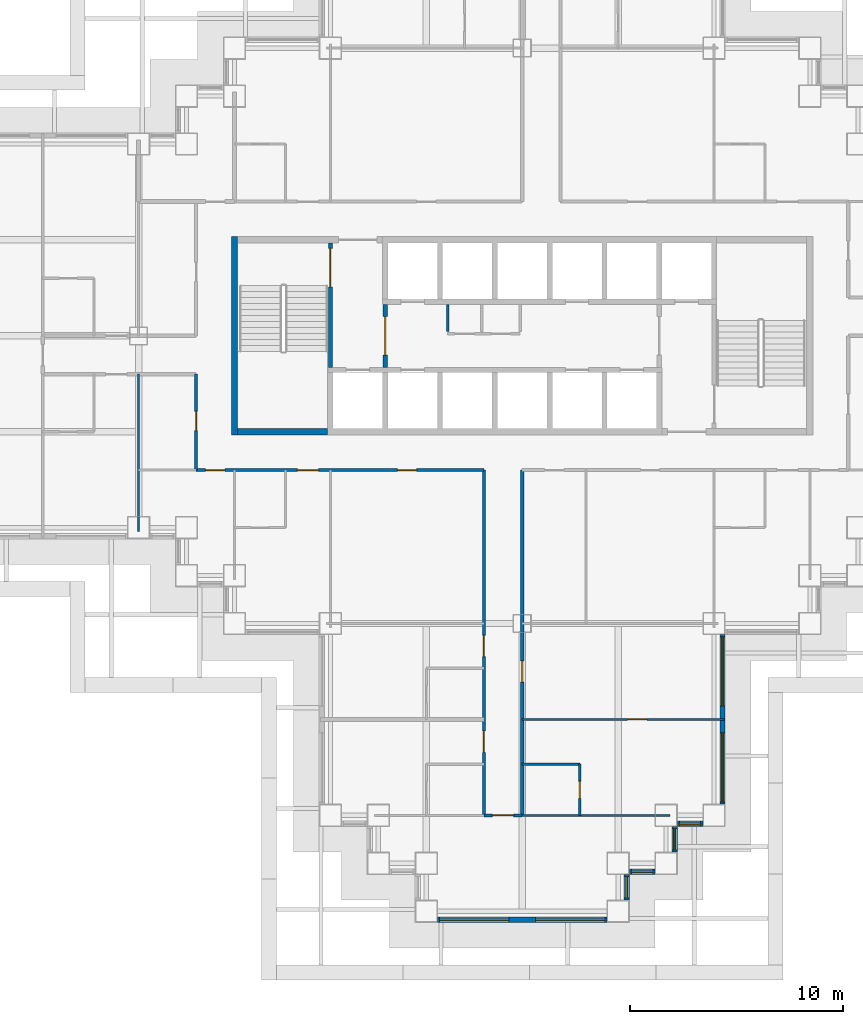
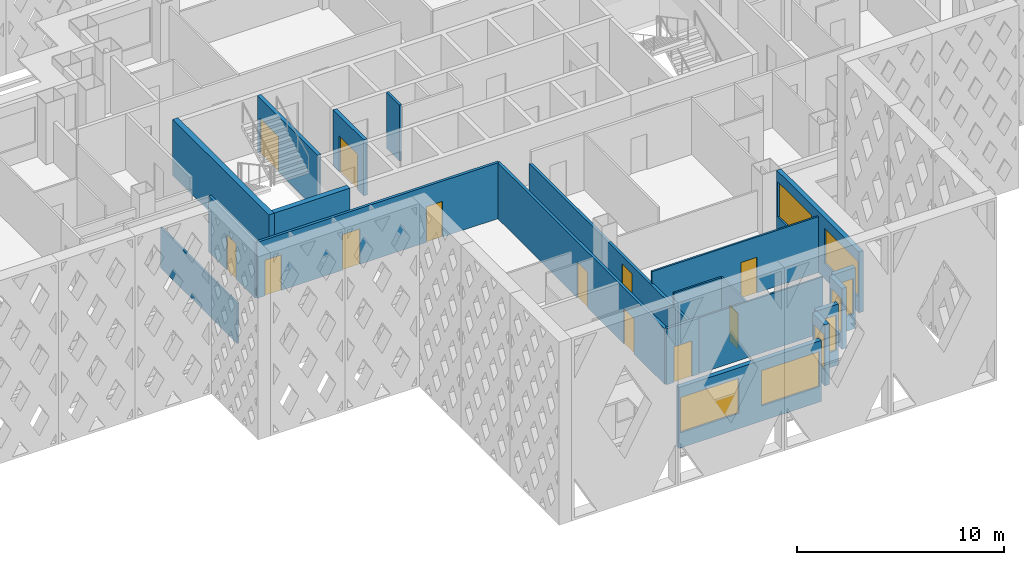
# One storey, part 4 of 19: 21 walls, 12 doors, 8 windows, 20 openings.
"""IFC4 building model written with IfcOpenShell, lengths in metres."""

from ifc_helpers import new_model, si_unit, direction, frame, frame_2d, origin, place, context, subcontext, project, spatial, rectangle, extrude, material, layer, layer_set, type_object, element, fill, save


model = new_model("IFC4")

# Units and contexts
model_context = context("Model", 3, precision=1e-05, world=origin(), true_north=direction((0.0, 1.0)))
body_context = subcontext(model_context, "Body", "Model", "MODEL_VIEW")
ifc_project = project(units=[si_unit("LENGTHUNIT", "METRE"), si_unit("AREAUNIT", "SQUARE_METRE"), si_unit("VOLUMEUNIT", "CUBIC_METRE"), si_unit("PLANEANGLEUNIT", "RADIAN"), si_unit("MASSUNIT", "GRAM", prefix="KILO")], contexts=[model_context])

# Site, building, storey
site_placement = place(None, origin())
site = spatial("IfcSite", under=ifc_project, at=site_placement, CompositionType="ELEMENT")
building_placement = place(site_placement, origin())
building = spatial("IfcBuilding", under=site, at=building_placement, Name="Caravel Reach Hotel and Residences", CompositionType="ELEMENT")
storey_placement = place(building_placement, frame((0.0, 0.0, 52.800048828125)))
storey = spatial("IfcBuildingStorey", under=building, at=storey_placement, Name="L11", CompositionType="ELEMENT", Elevation=52.800048828125)

# Wall
ifc_material_1 = material(Name="Gypsum board on steel stud", Category="steel")
ifc_layer_1 = layer(ifc_material_1, 0.10009765625)
ifc_layer_set_1 = layer_set([ifc_layer_1], Name="Bathroom pod wall 100 mm")
wall_type_1 = type_object("IfcWallType", Name="Bathroom pod wall 100 mm", PredefinedType="PARTITIONING", material=ifc_layer_set_1)
wall_1_placement = place(storey_placement, frame((31.5, 6.89990234375, 0.0), z_axis=(0.0, 0.0, 1.0), x_axis=(1.0, 0.0, 0.0)))
element("IfcWall", 1, at=wall_1_placement, inside=storey, type_object=wall_type_1, Name="L11 wall w087", PredefinedType="PARTITIONING", context=body_context, shape_type="SweptSolid", body=[
    extrude(rectangle(XDim=2.699951171875, YDim=0.10009765625, at=frame_2d((1.35009765625, 0.0))), origin(), (0.0, 0.0, 1.0), 3.300048828125),
])

# Wall, opening, door
wall_2_placement = place(storey_placement, frame((34.199951171875, 4.5, 0.0), z_axis=(0.0, 0.0, 1.0), x_axis=(0.0, 1.0, 0.0)))
wall_2 = element("IfcWall", 2, at=wall_2_placement, inside=storey, type_object=wall_type_1, Name="L11 wall w095", PredefinedType="PARTITIONING", context=body_context, shape_type="SweptSolid", body=[
    extrude(rectangle(XDim=2.39990234375, YDim=0.10009765625, at=frame_2d((1.199951171875, 0.0))), origin(), (0.0, 0.0, 1.0), 3.300048828125),
])
opening_1_placement = place(wall_2_placement, frame((0.800048828125, 0.0, 0.0)))
opening_1 = element("IfcOpeningElement", 3, at=opening_1_placement, cuts=wall_2, Name="Opening D11-037", PredefinedType="OPENING", context=body_context, shape_type="SweptSolid", body=[
    extrude(rectangle(XDim=0.800048828125, YDim=2.10009765625, at=frame_2d((0.39990234375, 1.050048828125))), frame((0.0, 0.06005859375, 0.0), z_axis=(0.0, -1.0, 0.0), x_axis=(1.0, 0.0, 0.0)), (0.0, 0.0, 1.0), 0.1201171875),
])
ifc_material_2 = material(Name="Timber and steel door leaf", Category="steel")
door_type_1 = type_object("IfcDoorType", Name="Bathroom door 800 x 2100", OperationType="SINGLE_SWING_LEFT", PredefinedType="DOOR", material=ifc_material_2)
door_1_placement = place(opening_1_placement, origin())
door_1 = element("IfcDoor", 4, at=door_1_placement, inside=storey, type_object=door_type_1, Name="door D11-037", OperationType="SINGLE_SWING_LEFT", OverallHeight=2.10009765625, OverallWidth=0.800048828125, PredefinedType="DOOR", context=body_context, shape_type="SweptSolid", body=[
    extrude(rectangle(XDim=0.800048828125, YDim=2.10009765625, at=frame_2d((0.39990234375, 1.050048828125))), frame((0.0, 0.02490234375, 0.0), z_axis=(0.0, -1.0, 0.0), x_axis=(1.0, 0.0, 0.0)), (0.0, 0.0, 1.0), 0.050048828125),
])
fill(opening_1, door_1)

# Walls
ifc_material_3 = material(Name="Concrete C60", Category="concrete")
ifc_layer_2 = layer(ifc_material_3, 0.300048828125)
ifc_layer_set_2 = layer_set([ifc_layer_2], Name="Core wall 300 mm EI 120")
wall_type_2 = type_object("IfcWallType", Name="Core wall 300 mm EI 120", PredefinedType="SHEAR", material=ifc_layer_set_2)
wall_3_placement = place(storey_placement, frame((18.14990234375, 22.5, 0.0), z_axis=(0.0, 0.0, 1.0), x_axis=(1.0, 0.0, 0.0)))
element("IfcWall", 5, at=wall_3_placement, inside=storey, type_object=wall_type_2, Name="L11 core wall S1", PredefinedType="SHEAR", context=body_context, shape_type="SweptSolid", body=[
    extrude(rectangle(XDim=4.22509765625, YDim=0.300048828125, at=frame_2d((2.112548828125, 0.0))), origin(), (0.0, 0.0, 1.0), 3.300048828125),
])
wall_4_placement = place(storey_placement, frame((18.0, 22.35009765625, 0.0), z_axis=(0.0, 0.0, 1.0), x_axis=(0.0, 1.0, 0.0)))
element("IfcWall", 6, at=wall_4_placement, inside=storey, type_object=wall_type_2, Name="L11 core wall W", PredefinedType="SHEAR", context=body_context, shape_type="SweptSolid", body=[
    extrude(rectangle(XDim=9.2998046875, YDim=0.300048828125, at=frame_2d((4.64990234375, 0.0))), origin(), (0.0, 0.0, 1.0), 3.300048828125),
])

# Wall, openings, doors
ifc_material_4 = material(Name="Gypsum board on steel stud, fire-rated", Category="steel")
ifc_layer_3 = layer(ifc_material_4, 0.14990234375)
ifc_layer_set_3 = layer_set([ifc_layer_3], Name="Corridor wall 150 mm EI 60")
wall_type_3 = type_object("IfcWallType", Name="Corridor wall 150 mm EI 60", PredefinedType="PARTITIONING", material=ifc_layer_set_3)
wall_5_placement = place(storey_placement, frame((16.199951171875, 20.699951171875, 0.0), z_axis=(0.0, 0.0, 1.0), x_axis=(1.0, 0.0, 0.0)))
wall_5 = element("IfcWall", 7, at=wall_5_placement, inside=storey, type_object=wall_type_3, Name="L11 wall w006", PredefinedType="PARTITIONING", context=body_context, shape_type="SweptSolid", body=[
    extrude(rectangle(XDim=13.5, YDim=0.14990234375, at=frame_2d((6.75, 0.0))), origin(), (0.0, 0.0, 1.0), 3.300048828125),
])
opening_2_placement = place(wall_5_placement, frame((4.75, 0.0, 0.0)))
opening_2 = element("IfcOpeningElement", 8, at=opening_2_placement, cuts=wall_5, Name="Opening D11-047", PredefinedType="OPENING", context=body_context, shape_type="SweptSolid", body=[
    extrude(rectangle(XDim=1.0, YDim=2.10009765625, at=frame_2d((0.5, 1.050048828125))), frame((0.0, 0.0849609375, 0.0), z_axis=(0.0, -1.0, 0.0), x_axis=(1.0, 0.0, 0.0)), (0.0, 0.0, 1.0), 0.169921875),
])
opening_3_placement = place(wall_5_placement, frame((0.449951171875, 0.0, 0.0)))
opening_3 = element("IfcOpeningElement", 9, at=opening_3_placement, cuts=wall_5, Name="Opening D11-049", PredefinedType="OPENING", context=body_context, shape_type="SweptSolid", body=[
    extrude(rectangle(XDim=0.89990234375, YDim=2.10009765625, at=frame_2d((0.449951171875, 1.050048828125))), frame((0.0, 0.0849609375, 0.0), z_axis=(0.0, -1.0, 0.0), x_axis=(1.0, 0.0, 0.0)), (0.0, 0.0, 1.0), 0.169921875),
])
opening_4_placement = place(wall_5_placement, frame((9.449951171875, 0.0, 0.0)))
opening_4 = element("IfcOpeningElement", 10, at=opening_4_placement, cuts=wall_5, Name="Opening D11-055", PredefinedType="OPENING", context=body_context, shape_type="SweptSolid", body=[
    extrude(rectangle(XDim=0.89990234375, YDim=2.10009765625, at=frame_2d((0.449951171875, 1.050048828125))), frame((0.0, 0.0849609375, 0.0), z_axis=(0.0, -1.0, 0.0), x_axis=(1.0, 0.0, 0.0)), (0.0, 0.0, 1.0), 0.169921875),
])
ifc_material_5 = material(Name="Timber and steel door leaf", Category="steel")
door_type_2 = type_object("IfcDoorType", Name="Door 900 x 2100 timber", OperationType="SINGLE_SWING_LEFT", PredefinedType="DOOR", material=ifc_material_5)
door_2_placement = place(opening_3_placement, origin())
door_2 = element("IfcDoor", 11, at=door_2_placement, inside=storey, type_object=door_type_2, Name="door D11-049", OperationType="SINGLE_SWING_LEFT", OverallHeight=2.10009765625, OverallWidth=0.89990234375, PredefinedType="DOOR", context=body_context, shape_type="SweptSolid", body=[
    extrude(rectangle(XDim=0.89990234375, YDim=2.10009765625, at=frame_2d((0.449951171875, 1.050048828125))), frame((0.0, 0.02490234375, 0.0), z_axis=(0.0, -1.0, 0.0), x_axis=(1.0, 0.0, 0.0)), (0.0, 0.0, 1.0), 0.050048828125),
])
fill(opening_3, door_2)
door_3_placement = place(opening_4_placement, origin())
door_3 = element("IfcDoor", 12, at=door_3_placement, inside=storey, type_object=door_type_2, Name="door D11-055", OperationType="SINGLE_SWING_RIGHT", OverallHeight=2.10009765625, OverallWidth=0.89990234375, PredefinedType="DOOR", context=body_context, shape_type="SweptSolid", body=[
    extrude(rectangle(XDim=0.89990234375, YDim=2.10009765625, at=frame_2d((0.449951171875, 1.050048828125))), frame((0.0, 0.02490234375, 0.0), z_axis=(0.0, -1.0, 0.0), x_axis=(1.0, 0.0, 0.0)), (0.0, 0.0, 1.0), 0.050048828125),
])
fill(opening_4, door_3)
ifc_material_6 = material(Name="Steel fire door leaf", Category="steel")
door_type_3 = type_object("IfcDoorType", Name="Guest room door 1000 x 2100 EI 30", OperationType="SINGLE_SWING_LEFT", PredefinedType="DOOR", material=ifc_material_6)
door_4_placement = place(opening_2_placement, origin())
door_4 = element("IfcDoor", 13, at=door_4_placement, inside=storey, type_object=door_type_3, Name="door D11-047", OperationType="SINGLE_SWING_RIGHT", OverallHeight=2.10009765625, OverallWidth=1.0, PredefinedType="DOOR", context=body_context, shape_type="SweptSolid", body=[
    extrude(rectangle(XDim=1.0, YDim=2.10009765625, at=frame_2d((0.5, 1.050048828125))), frame((0.0, 0.02490234375, 0.0), z_axis=(0.0, -1.0, 0.0), x_axis=(1.0, 0.0, 0.0)), (0.0, 0.0, 1.0), 0.050048828125),
])
fill(opening_2, door_4)

# Wall, opening, door
wall_6_placement = place(storey_placement, frame((29.699951171875, 4.5, 0.0), z_axis=(0.0, 0.0, 1.0), x_axis=(1.0, 0.0, 0.0)))
wall_6 = element("IfcWall", 14, at=wall_6_placement, inside=storey, type_object=wall_type_3, Name="L11 wall w022", PredefinedType="PARTITIONING", context=body_context, shape_type="SweptSolid", body=[
    extrude(rectangle(XDim=1.800048828125, YDim=0.14990234375, at=frame_2d((0.89990234375, 0.0))), origin(), (0.0, 0.0, 1.0), 3.300048828125),
])
opening_5_placement = place(wall_6_placement, frame((0.39990234375, 0.0, 0.0)))
opening_5 = element("IfcOpeningElement", 15, at=opening_5_placement, cuts=wall_6, Name="Opening D11-041", PredefinedType="OPENING", context=body_context, shape_type="SweptSolid", body=[
    extrude(rectangle(XDim=1.0, YDim=2.10009765625, at=frame_2d((0.5, 1.050048828125))), frame((0.0, 0.0849609375, 0.0), z_axis=(0.0, -1.0, 0.0), x_axis=(1.0, 0.0, 0.0)), (0.0, 0.0, 1.0), 0.169921875),
])
door_5_placement = place(opening_5_placement, origin())
door_5 = element("IfcDoor", 16, at=door_5_placement, inside=storey, type_object=door_type_3, Name="door D11-041", OperationType="SINGLE_SWING_LEFT", OverallHeight=2.10009765625, OverallWidth=1.0, PredefinedType="DOOR", context=body_context, shape_type="SweptSolid", body=[
    extrude(rectangle(XDim=1.0, YDim=2.10009765625, at=frame_2d((0.5, 1.050048828125))), frame((0.0, 0.02490234375, 0.0), z_axis=(0.0, -1.0, 0.0), x_axis=(1.0, 0.0, 0.0)), (0.0, 0.0, 1.0), 0.050048828125),
])
fill(opening_5, door_5)

wall_7_placement = place(storey_placement, frame((16.199951171875, 20.699951171875, 0.0), z_axis=(0.0, 0.0, 1.0), x_axis=(0.0, 1.0, 0.0)))
wall_7 = element("IfcWall", 17, at=wall_7_placement, inside=storey, type_object=wall_type_3, Name="L11 wall w025", PredefinedType="PARTITIONING", context=body_context, shape_type="SweptSolid", body=[
    extrude(rectangle(XDim=4.5, YDim=0.14990234375, at=frame_2d((2.25, 0.0))), origin(), (0.0, 0.0, 1.0), 3.300048828125),
])
opening_6_placement = place(wall_7_placement, frame((1.85009765625, 0.0, 0.0)))
opening_6 = element("IfcOpeningElement", 18, at=opening_6_placement, cuts=wall_7, Name="Opening D11-058", PredefinedType="OPENING", context=body_context, shape_type="SweptSolid", body=[
    extrude(rectangle(XDim=0.89990234375, YDim=2.10009765625, at=frame_2d((0.449951171875, 1.050048828125))), frame((0.0, 0.0849609375, 0.0), z_axis=(0.0, -1.0, 0.0), x_axis=(1.0, 0.0, 0.0)), (0.0, 0.0, 1.0), 0.169921875),
])
door_6_placement = place(opening_6_placement, origin())
door_6 = element("IfcDoor", 19, at=door_6_placement, inside=storey, type_object=door_type_2, Name="door D11-058", OperationType="SINGLE_SWING_RIGHT", OverallHeight=2.10009765625, OverallWidth=0.89990234375, PredefinedType="DOOR", context=body_context, shape_type="SweptSolid", body=[
    extrude(rectangle(XDim=0.89990234375, YDim=2.10009765625, at=frame_2d((0.449951171875, 1.050048828125))), frame((0.0, 0.02490234375, 0.0), z_axis=(0.0, -1.0, 0.0), x_axis=(1.0, 0.0, 0.0)), (0.0, 0.0, 1.0), 0.050048828125),
])
fill(opening_6, door_6)

# Wall, openings, doors
wall_8_placement = place(storey_placement, frame((29.699951171875, 4.5, 0.0), z_axis=(0.0, 0.0, 1.0), x_axis=(0.0, 1.0, 0.0)))
wall_8 = element("IfcWall", 20, at=wall_8_placement, inside=storey, type_object=wall_type_3, Name="L11 wall w027", PredefinedType="PARTITIONING", context=body_context, shape_type="SweptSolid", body=[
    extrude(rectangle(XDim=16.199951171875, YDim=0.14990234375, at=frame_2d((8.10009765625, 0.0))), origin(), (0.0, 0.0, 1.0), 3.300048828125),
])
opening_7_placement = place(wall_8_placement, frame((7.449951171875, 0.0, 0.0)))
opening_7 = element("IfcOpeningElement", 21, at=opening_7_placement, cuts=wall_8, Name="Opening D11-031", PredefinedType="OPENING", context=body_context, shape_type="SweptSolid", body=[
    extrude(rectangle(XDim=1.0, YDim=2.10009765625, at=frame_2d((0.5, 1.050048828125))), frame((0.0, 0.0849609375, 0.0), z_axis=(0.0, -1.0, 0.0), x_axis=(1.0, 0.0, 0.0)), (0.0, 0.0, 1.0), 0.169921875),
])
opening_8_placement = place(wall_8_placement, frame((2.949951171875, 0.0, 0.0)))
opening_8 = element("IfcOpeningElement", 22, at=opening_8_placement, cuts=wall_8, Name="Opening D11-033", PredefinedType="OPENING", context=body_context, shape_type="SweptSolid", body=[
    extrude(rectangle(XDim=1.0, YDim=2.10009765625, at=frame_2d((0.5, 1.050048828125))), frame((0.0, 0.0849609375, 0.0), z_axis=(0.0, -1.0, 0.0), x_axis=(1.0, 0.0, 0.0)), (0.0, 0.0, 1.0), 0.169921875),
])
door_7_placement = place(opening_7_placement, origin())
door_7 = element("IfcDoor", 23, at=door_7_placement, inside=storey, type_object=door_type_3, Name="door D11-031", OperationType="SINGLE_SWING_RIGHT", OverallHeight=2.10009765625, OverallWidth=1.0, PredefinedType="DOOR", context=body_context, shape_type="SweptSolid", body=[
    extrude(rectangle(XDim=1.0, YDim=2.10009765625, at=frame_2d((0.5, 1.050048828125))), frame((0.0, 0.02490234375, 0.0), z_axis=(0.0, -1.0, 0.0), x_axis=(1.0, 0.0, 0.0)), (0.0, 0.0, 1.0), 0.050048828125),
])
fill(opening_7, door_7)
door_8_placement = place(opening_8_placement, origin())
door_8 = element("IfcDoor", 24, at=door_8_placement, inside=storey, type_object=door_type_3, Name="door D11-033", OperationType="SINGLE_SWING_RIGHT", OverallHeight=2.10009765625, OverallWidth=1.0, PredefinedType="DOOR", context=body_context, shape_type="SweptSolid", body=[
    extrude(rectangle(XDim=1.0, YDim=2.10009765625, at=frame_2d((0.5, 1.050048828125))), frame((0.0, 0.02490234375, 0.0), z_axis=(0.0, -1.0, 0.0), x_axis=(1.0, 0.0, 0.0)), (0.0, 0.0, 1.0), 0.050048828125),
])
fill(opening_8, door_8)

# Wall, opening, door
wall_9_placement = place(storey_placement, frame((31.5, 4.5, 0.0), z_axis=(0.0, 0.0, 1.0), x_axis=(0.0, 1.0, 0.0)))
wall_9 = element("IfcWall", 25, at=wall_9_placement, inside=storey, type_object=wall_type_3, Name="L11 wall w032", PredefinedType="PARTITIONING", context=body_context, shape_type="SweptSolid", body=[
    extrude(rectangle(XDim=16.199951171875, YDim=0.14990234375, at=frame_2d((8.10009765625, 0.0))), origin(), (0.0, 0.0, 1.0), 2.579833984375),
])
opening_9_placement = place(wall_9_placement, frame((6.25, 0.0, 0.0)))
opening_9 = element("IfcOpeningElement", 26, at=opening_9_placement, cuts=wall_9, Name="Opening D11-035", PredefinedType="OPENING", context=body_context, shape_type="SweptSolid", body=[
    extrude(rectangle(XDim=1.0, YDim=2.10009765625, at=frame_2d((0.5, 1.050048828125))), frame((0.0, 0.0849609375, 0.0), z_axis=(0.0, -1.0, 0.0), x_axis=(1.0, 0.0, 0.0)), (0.0, 0.0, 1.0), 0.169921875),
])
door_9_placement = place(opening_9_placement, origin())
door_9 = element("IfcDoor", 27, at=door_9_placement, inside=storey, type_object=door_type_3, Name="door D11-035", OperationType="SINGLE_SWING_RIGHT", OverallHeight=2.10009765625, OverallWidth=1.0, PredefinedType="DOOR", context=body_context, shape_type="SweptSolid", body=[
    extrude(rectangle(XDim=1.0, YDim=2.10009765625, at=frame_2d((0.5, 1.050048828125))), frame((0.0, 0.02490234375, 0.0), z_axis=(0.0, -1.0, 0.0), x_axis=(1.0, 0.0, 0.0)), (0.0, 0.0, 1.0), 0.050048828125),
])
fill(opening_9, door_9)

# Wall, openings, windows
ifc_material_7 = material(Name="Insulated rainscreen wall, aluminium cladding", Category="aluminium")
ifc_layer_4 = layer(ifc_material_7, 0.25)
ifc_layer_set_4 = layer_set([ifc_layer_4], Name="EW1 Tower rainscreen wall")
wall_type_4 = type_object("IfcWallType", Name="EW1 Tower rainscreen wall", PredefinedType="SOLIDWALL", material=ifc_layer_set_4)
wall_10_placement = place(storey_placement, frame((27.52490234375, -0.39990234375, 0.0), z_axis=(0.0, 0.0, 1.0), x_axis=(1.0, 0.0, 0.0)))
wall_10 = element("IfcWall", 28, at=wall_10_placement, inside=storey, type_object=wall_type_4, Name="External wall L11 S5.1", PredefinedType="SOLIDWALL", context=body_context, shape_type="SweptSolid", body=[
    extrude(rectangle(XDim=7.9501953125, YDim=0.25, at=frame_2d((3.97509765625, 0.0))), origin(), (0.0, 0.0, 1.0), 3.599853515625),
])
opening_10_placement = place(wall_10_placement, frame((0.10009765625, 0.0, 0.89990234375)))
opening_10 = element("IfcOpeningElement", 29, at=opening_10_placement, cuts=wall_10, Name="Opening WN2", PredefinedType="OPENING", context=body_context, shape_type="SweptSolid", body=[
    extrude(rectangle(XDim=3.25, YDim=2.080078125, at=frame_2d((1.625, 1.0400390625))), frame((0.0, 0.135009765625, 0.0), z_axis=(0.0, -1.0, 0.0), x_axis=(1.0, 0.0, 0.0)), (0.0, 0.0, 1.0), 0.27001953125),
])
opening_11_placement = place(wall_10_placement, frame((4.60009765625, 0.0, 0.89990234375)))
opening_11 = element("IfcOpeningElement", 30, at=opening_11_placement, cuts=wall_10, Name="Opening WN2", PredefinedType="OPENING", context=body_context, shape_type="SweptSolid", body=[
    extrude(rectangle(XDim=3.25, YDim=2.080078125, at=frame_2d((1.625, 1.0400390625))), frame((0.0, 0.135009765625, 0.0), z_axis=(0.0, -1.0, 0.0), x_axis=(1.0, 0.0, 0.0)), (0.0, 0.0, 1.0), 0.27001953125),
])
ifc_material_8 = material(Name="Dark low-e glazing in black aluminium frame", Category="aluminium")
window_type_1 = type_object("IfcWindowType", Name="Hotel guest room window 3250 x 2080", PartitioningType="SINGLE_PANEL", PredefinedType="WINDOW", material=ifc_material_8)
window_1_placement = place(opening_10_placement, origin())
window_1 = element("IfcWindow", 31, at=window_1_placement, inside=storey, type_object=window_type_1, Name="Window L11 S5.1.1", OverallHeight=2.080078125, OverallWidth=3.25, PartitioningType="SINGLE_PANEL", PredefinedType="WINDOW", context=body_context, shape_type="SweptSolid", body=[
    extrude(rectangle(XDim=3.25, YDim=2.080078125, at=frame_2d((1.625, 1.0400390625))), frame((0.0, 0.030029296875, 0.0), z_axis=(0.0, -1.0, 0.0), x_axis=(1.0, 0.0, 0.0)), (0.0, 0.0, 1.0), 0.06005859375),
])
fill(opening_10, window_1)
window_2_placement = place(opening_11_placement, origin())
window_2 = element("IfcWindow", 32, at=window_2_placement, inside=storey, type_object=window_type_1, Name="Window L11 S5.1.2", OverallHeight=2.080078125, OverallWidth=3.25, PartitioningType="SINGLE_PANEL", PredefinedType="WINDOW", context=body_context, shape_type="SweptSolid", body=[
    extrude(rectangle(XDim=3.25, YDim=2.080078125, at=frame_2d((1.625, 1.0400390625))), frame((0.0, 0.030029296875, 0.0), z_axis=(0.0, -1.0, 0.0), x_axis=(1.0, 0.0, 0.0)), (0.0, 0.0, 1.0), 0.06005859375),
])
fill(opening_11, window_2)

# Wall, opening, window
wall_11_placement = place(storey_placement, frame((36.39990234375, 0.52490234375, 0.0), z_axis=(0.0, 0.0, 1.0), x_axis=(0.0, 1.0, 0.0)))
wall_11 = element("IfcWall", 33, at=wall_11_placement, inside=storey, type_object=wall_type_4, Name="External wall L11 E6.1", PredefinedType="SOLIDWALL", context=body_context, shape_type="SweptSolid", body=[
    extrude(rectangle(XDim=1.2001953125, YDim=0.25, at=frame_2d((0.60009765625, 0.0))), origin(), (0.0, 0.0, 1.0), 3.599853515625),
])
opening_12_placement = place(wall_11_placement, frame((0.10009765625, 0.0, 0.89990234375)))
opening_12 = element("IfcOpeningElement", 34, at=opening_12_placement, cuts=wall_11, Name="Opening WN1", PredefinedType="OPENING", context=body_context, shape_type="SweptSolid", body=[
    extrude(rectangle(XDim=1.0, YDim=2.080078125, at=frame_2d((0.5, 1.0400390625))), frame((0.0, 0.135009765625, 0.0), z_axis=(0.0, -1.0, 0.0), x_axis=(1.0, 0.0, 0.0)), (0.0, 0.0, 1.0), 0.27001953125),
])
ifc_material_9 = material(Name="Dark low-e glazing in black aluminium frame", Category="aluminium")
window_type_2 = type_object("IfcWindowType", Name="Hotel suite corner window 1000 x 2080", PartitioningType="SINGLE_PANEL", PredefinedType="WINDOW", material=ifc_material_9)
window_3_placement = place(opening_12_placement, origin())
window_3 = element("IfcWindow", 35, at=window_3_placement, inside=storey, type_object=window_type_2, Name="Window L11 E6.1.1", OverallHeight=2.080078125, OverallWidth=1.0, PartitioningType="SINGLE_PANEL", PredefinedType="WINDOW", context=body_context, shape_type="SweptSolid", body=[
    extrude(rectangle(XDim=1.0, YDim=2.080078125, at=frame_2d((0.5, 1.0400390625))), frame((0.0, 0.030029296875, 0.0), z_axis=(0.0, -1.0, 0.0), x_axis=(1.0, 0.0, 0.0)), (0.0, 0.0, 1.0), 0.06005859375),
])
fill(opening_12, window_3)

wall_12_placement = place(storey_placement, frame((36.52490234375, 1.85009765625, 0.0), z_axis=(0.0, 0.0, 1.0), x_axis=(1.0, 0.0, 0.0)))
wall_12 = element("IfcWall", 36, at=wall_12_placement, inside=storey, type_object=wall_type_4, Name="External wall L11 S7.1", PredefinedType="SOLIDWALL", context=body_context, shape_type="SweptSolid", body=[
    extrude(rectangle(XDim=1.2001953125, YDim=0.25, at=frame_2d((0.60009765625, 0.0))), origin(), (0.0, 0.0, 1.0), 3.599853515625),
])
opening_13_placement = place(wall_12_placement, frame((0.10009765625, 0.0, 0.89990234375)))
opening_13 = element("IfcOpeningElement", 37, at=opening_13_placement, cuts=wall_12, Name="Opening WN1", PredefinedType="OPENING", context=body_context, shape_type="SweptSolid", body=[
    extrude(rectangle(XDim=1.0, YDim=2.080078125, at=frame_2d((0.5, 1.0400390625))), frame((0.0, 0.135009765625, 0.0), z_axis=(0.0, -1.0, 0.0), x_axis=(1.0, 0.0, 0.0)), (0.0, 0.0, 1.0), 0.27001953125),
])
window_4_placement = place(opening_13_placement, origin())
window_4 = element("IfcWindow", 38, at=window_4_placement, inside=storey, type_object=window_type_2, Name="Window L11 S7.1.1", OverallHeight=2.080078125, OverallWidth=1.0, PartitioningType="SINGLE_PANEL", PredefinedType="WINDOW", context=body_context, shape_type="SweptSolid", body=[
    extrude(rectangle(XDim=1.0, YDim=2.080078125, at=frame_2d((0.5, 1.0400390625))), frame((0.0, 0.030029296875, 0.0), z_axis=(0.0, -1.0, 0.0), x_axis=(1.0, 0.0, 0.0)), (0.0, 0.0, 1.0), 0.06005859375),
])
fill(opening_13, window_4)

wall_13_placement = place(storey_placement, frame((38.64990234375, 2.77490234375, 0.0), z_axis=(0.0, 0.0, 1.0), x_axis=(0.0, 1.0, 0.0)))
wall_13 = element("IfcWall", 39, at=wall_13_placement, inside=storey, type_object=wall_type_4, Name="External wall L11 E8.1", PredefinedType="SOLIDWALL", context=body_context, shape_type="SweptSolid", body=[
    extrude(rectangle(XDim=1.2001953125, YDim=0.25, at=frame_2d((0.60009765625, 0.0))), origin(), (0.0, 0.0, 1.0), 3.599853515625),
])
opening_14_placement = place(wall_13_placement, frame((0.10009765625, 0.0, 0.89990234375)))
opening_14 = element("IfcOpeningElement", 40, at=opening_14_placement, cuts=wall_13, Name="Opening WN1", PredefinedType="OPENING", context=body_context, shape_type="SweptSolid", body=[
    extrude(rectangle(XDim=1.0, YDim=2.080078125, at=frame_2d((0.5, 1.0400390625))), frame((0.0, 0.135009765625, 0.0), z_axis=(0.0, -1.0, 0.0), x_axis=(1.0, 0.0, 0.0)), (0.0, 0.0, 1.0), 0.27001953125),
])
window_5_placement = place(opening_14_placement, origin())
window_5 = element("IfcWindow", 41, at=window_5_placement, inside=storey, type_object=window_type_2, Name="Window L11 E8.1.1", OverallHeight=2.080078125, OverallWidth=1.0, PartitioningType="SINGLE_PANEL", PredefinedType="WINDOW", context=body_context, shape_type="SweptSolid", body=[
    extrude(rectangle(XDim=1.0, YDim=2.080078125, at=frame_2d((0.5, 1.0400390625))), frame((0.0, 0.030029296875, 0.0), z_axis=(0.0, -1.0, 0.0), x_axis=(1.0, 0.0, 0.0)), (0.0, 0.0, 1.0), 0.06005859375),
])
fill(opening_14, window_5)

wall_14_placement = place(storey_placement, frame((38.77490234375, 4.10009765625, 0.0), z_axis=(0.0, 0.0, 1.0), x_axis=(1.0, 0.0, 0.0)))
wall_14 = element("IfcWall", 42, at=wall_14_placement, inside=storey, type_object=wall_type_4, Name="External wall L11 S9.1", PredefinedType="SOLIDWALL", context=body_context, shape_type="SweptSolid", body=[
    extrude(rectangle(XDim=1.2001953125, YDim=0.25, at=frame_2d((0.60009765625, 0.0))), origin(), (0.0, 0.0, 1.0), 3.599853515625),
])
opening_15_placement = place(wall_14_placement, frame((0.10009765625, 0.0, 0.89990234375)))
opening_15 = element("IfcOpeningElement", 43, at=opening_15_placement, cuts=wall_14, Name="Opening WN1", PredefinedType="OPENING", context=body_context, shape_type="SweptSolid", body=[
    extrude(rectangle(XDim=1.0, YDim=2.080078125, at=frame_2d((0.5, 1.0400390625))), frame((0.0, 0.135009765625, 0.0), z_axis=(0.0, -1.0, 0.0), x_axis=(1.0, 0.0, 0.0)), (0.0, 0.0, 1.0), 0.27001953125),
])
window_6_placement = place(opening_15_placement, origin())
window_6 = element("IfcWindow", 44, at=window_6_placement, inside=storey, type_object=window_type_2, Name="Window L11 S9.1.1", OverallHeight=2.080078125, OverallWidth=1.0, PartitioningType="SINGLE_PANEL", PredefinedType="WINDOW", context=body_context, shape_type="SweptSolid", body=[
    extrude(rectangle(XDim=1.0, YDim=2.080078125, at=frame_2d((0.5, 1.0400390625))), frame((0.0, 0.030029296875, 0.0), z_axis=(0.0, -1.0, 0.0), x_axis=(1.0, 0.0, 0.0)), (0.0, 0.0, 1.0), 0.06005859375),
])
fill(opening_15, window_6)

# Wall, openings, windows
wall_15_placement = place(storey_placement, frame((40.89990234375, 5.02490234375, 0.0), z_axis=(0.0, 0.0, 1.0), x_axis=(0.0, 1.0, 0.0)))
wall_15 = element("IfcWall", 45, at=wall_15_placement, inside=storey, type_object=wall_type_4, Name="External wall L11 E10.1", PredefinedType="SOLIDWALL", context=body_context, shape_type="SweptSolid", body=[
    extrude(rectangle(XDim=7.9501953125, YDim=0.25, at=frame_2d((3.97509765625, 0.0))), origin(), (0.0, 0.0, 1.0), 3.599853515625),
])
opening_16_placement = place(wall_15_placement, frame((0.10009765625, 0.0, 0.89990234375)))
opening_16 = element("IfcOpeningElement", 46, at=opening_16_placement, cuts=wall_15, Name="Opening WN2", PredefinedType="OPENING", context=body_context, shape_type="SweptSolid", body=[
    extrude(rectangle(XDim=3.25, YDim=2.080078125, at=frame_2d((1.625, 1.0400390625))), frame((0.0, 0.135009765625, 0.0), z_axis=(0.0, -1.0, 0.0), x_axis=(1.0, 0.0, 0.0)), (0.0, 0.0, 1.0), 0.27001953125),
])
opening_17_placement = place(wall_15_placement, frame((4.60009765625, 0.0, 0.89990234375)))
opening_17 = element("IfcOpeningElement", 47, at=opening_17_placement, cuts=wall_15, Name="Opening WN2", PredefinedType="OPENING", context=body_context, shape_type="SweptSolid", body=[
    extrude(rectangle(XDim=3.25, YDim=2.080078125, at=frame_2d((1.625, 1.0400390625))), frame((0.0, 0.135009765625, 0.0), z_axis=(0.0, -1.0, 0.0), x_axis=(1.0, 0.0, 0.0)), (0.0, 0.0, 1.0), 0.27001953125),
])
window_7_placement = place(opening_16_placement, origin())
window_7 = element("IfcWindow", 48, at=window_7_placement, inside=storey, type_object=window_type_1, Name="Window L11 E10.1.1", OverallHeight=2.080078125, OverallWidth=3.25, PartitioningType="SINGLE_PANEL", PredefinedType="WINDOW", context=body_context, shape_type="SweptSolid", body=[
    extrude(rectangle(XDim=3.25, YDim=2.080078125, at=frame_2d((1.625, 1.0400390625))), frame((0.0, 0.030029296875, 0.0), z_axis=(0.0, -1.0, 0.0), x_axis=(1.0, 0.0, 0.0)), (0.0, 0.0, 1.0), 0.06005859375),
])
fill(opening_16, window_7)
window_8_placement = place(opening_17_placement, origin())
window_8 = element("IfcWindow", 49, at=window_8_placement, inside=storey, type_object=window_type_1, Name="Window L11 E10.1.2", OverallHeight=2.080078125, OverallWidth=3.25, PartitioningType="SINGLE_PANEL", PredefinedType="WINDOW", context=body_context, shape_type="SweptSolid", body=[
    extrude(rectangle(XDim=3.25, YDim=2.080078125, at=frame_2d((1.625, 1.0400390625))), frame((0.0, 0.030029296875, 0.0), z_axis=(0.0, -1.0, 0.0), x_axis=(1.0, 0.0, 0.0)), (0.0, 0.0, 1.0), 0.06005859375),
])
fill(opening_17, window_8)

# Wall, opening, door
ifc_material_10 = material(Name="Autoclaved aerated block wall")
ifc_layer_5 = layer(ifc_material_10, 0.199951171875)
ifc_layer_set_5 = layer_set([ifc_layer_5], Name="Fire lobby wall 200 mm EI 120")
wall_type_5 = type_object("IfcWallType", Name="Fire lobby wall 200 mm EI 120", PredefinedType="PARTITIONING", material=ifc_layer_set_5)
wall_16_placement = place(storey_placement, frame((25.071533203125, 25.52490234375, 0.0), z_axis=(0.0, 0.0, 1.0), x_axis=(0.0, 1.0, 0.0)))
wall_16 = element("IfcWall", 50, at=wall_16_placement, inside=storey, type_object=wall_type_5, Name="L11 lobby W wall", PredefinedType="PARTITIONING", context=body_context, shape_type="SweptSolid", body=[
    extrude(rectangle(XDim=2.9501953125, YDim=0.199951171875, at=frame_2d((1.47509765625, 0.0))), origin(), (0.0, 0.0, 1.0), 3.300048828125),
])
opening_18_placement = place(wall_16_placement, frame((0.574951171875, 0.0, 0.0)))
opening_18 = element("IfcOpeningElement", 51, at=opening_18_placement, cuts=wall_16, Name="Opening D11-012", PredefinedType="OPENING", context=body_context, shape_type="SweptSolid", body=[
    extrude(rectangle(XDim=1.800048828125, YDim=2.10009765625, at=frame_2d((0.89990234375, 1.050048828125))), frame((0.0, 0.10986328125, 0.0), z_axis=(0.0, -1.0, 0.0), x_axis=(1.0, 0.0, 0.0)), (0.0, 0.0, 1.0), 0.219970703125),
])
ifc_material_11 = material(Name="Steel fire door leaf", Category="steel")
door_type_4 = type_object("IfcDoorType", Name="Fire lobby door pair 1800 x 2100 EI 90", OperationType="DOUBLE_DOOR_SINGLE_SWING", PredefinedType="DOOR", material=ifc_material_11)
door_10_placement = place(opening_18_placement, origin())
door_10 = element("IfcDoor", 52, at=door_10_placement, inside=storey, type_object=door_type_4, Name="lobby W door pair", OperationType="DOUBLE_DOOR_SINGLE_SWING", OverallHeight=2.10009765625, OverallWidth=1.800048828125, PredefinedType="DOOR", context=body_context, shape_type="SweptSolid", body=[
    extrude(rectangle(XDim=1.800048828125, YDim=2.10009765625, at=frame_2d((0.89990234375, 1.050048828125))), frame((0.0, 0.02490234375, 0.0), z_axis=(0.0, -1.0, 0.0), x_axis=(1.0, 0.0, 0.0)), (0.0, 0.0, 1.0), 0.050048828125),
])
fill(opening_18, door_10)

# Wall
ifc_material_12 = material(Name="Gypsum board on steel stud", Category="steel")
ifc_layer_6 = layer(ifc_material_12, 0.10009765625)
ifc_layer_set_6 = layer_set([ifc_layer_6], Name="Partition 100 mm")
wall_type_6 = type_object("IfcWallType", Name="Partition 100 mm", PredefinedType="PARTITIONING", material=ifc_layer_set_6)
wall_17_placement = place(storey_placement, frame((31.5, 4.5, 0.0), z_axis=(0.0, 0.0, 1.0), x_axis=(1.0, 0.0, 0.0)))
element("IfcWall", 53, at=wall_17_placement, inside=storey, type_object=wall_type_6, Name="L11 wall w047", PredefinedType="PARTITIONING", context=body_context, shape_type="SweptSolid", body=[
    extrude(rectangle(XDim=6.93994140625, YDim=0.10009765625, at=frame_2d((3.469970703125, 0.0))), origin(), (0.0, 0.0, 1.0), 3.300048828125),
])

# Wall, opening, door
wall_18_placement = place(storey_placement, frame((31.5, 9.0, 0.0), z_axis=(0.0, 0.0, 1.0), x_axis=(1.0, 0.0, 0.0)))
wall_18 = element("IfcWall", 54, at=wall_18_placement, inside=storey, type_object=wall_type_6, Name="L11 wall w052", PredefinedType="PARTITIONING", context=body_context, shape_type="SweptSolid", body=[
    extrude(rectangle(XDim=9.465087890625, YDim=0.10009765625, at=frame_2d((4.732421875, 0.0))), origin(), (0.0, 0.0, 1.0), 3.300048828125),
])
opening_19_placement = place(wall_18_placement, frame((4.949951171875, 0.0, 0.0)))
opening_19 = element("IfcOpeningElement", 55, at=opening_19_placement, cuts=wall_18, Name="Opening D11-036", PredefinedType="OPENING", context=body_context, shape_type="SweptSolid", body=[
    extrude(rectangle(XDim=0.89990234375, YDim=2.10009765625, at=frame_2d((0.449951171875, 1.050048828125))), frame((0.0, 0.06005859375, 0.0), z_axis=(0.0, -1.0, 0.0), x_axis=(1.0, 0.0, 0.0)), (0.0, 0.0, 1.0), 0.1201171875),
])
door_11_placement = place(opening_19_placement, origin())
door_11 = element("IfcDoor", 56, at=door_11_placement, inside=storey, type_object=door_type_2, Name="door D11-036", OperationType="SINGLE_SWING_RIGHT", OverallHeight=2.10009765625, OverallWidth=0.89990234375, PredefinedType="DOOR", context=body_context, shape_type="SweptSolid", body=[
    extrude(rectangle(XDim=0.89990234375, YDim=2.10009765625, at=frame_2d((0.449951171875, 1.050048828125))), frame((0.0, 0.02490234375, 0.0), z_axis=(0.0, -1.0, 0.0), x_axis=(1.0, 0.0, 0.0)), (0.0, 0.0, 1.0), 0.050048828125),
])
fill(opening_19, door_11)

# Walls
wall_19_placement = place(storey_placement, frame((13.5, 17.81005859375, 0.0), z_axis=(0.0, 0.0, 1.0), x_axis=(0.0, 1.0, 0.0)))
element("IfcWall", 57, at=wall_19_placement, inside=storey, type_object=wall_type_6, Name="L11 wall w055", PredefinedType="PARTITIONING", context=body_context, shape_type="SweptSolid", body=[
    extrude(rectangle(XDim=7.389892578125, YDim=0.10009765625, at=frame_2d((3.69482421875, 0.0))), origin(), (0.0, 0.0, 1.0), 2.3798828125),
])
ifc_material_13 = material(Name="Autoclaved aerated block wall")
ifc_layer_7 = layer(ifc_material_13, 0.125)
ifc_layer_set_7 = layer_set([ifc_layer_7], Name="Riser wall 125 mm EI 60")
wall_type_7 = type_object("IfcWallType", Name="Riser wall 125 mm EI 60", PredefinedType="PARTITIONING", material=ifc_layer_set_7)
wall_20_placement = place(storey_placement, frame((28.0, 28.47509765625, 0.0), z_axis=(0.0, 0.0, 1.0), x_axis=(0.0, -1.0, 0.0)))
element("IfcWall", 58, at=wall_20_placement, inside=storey, type_object=wall_type_7, Name="L11 service room partition N1", PredefinedType="PARTITIONING", context=body_context, shape_type="SweptSolid", body=[
    extrude(rectangle(XDim=1.275146484375, YDim=0.125, at=frame_2d((0.6376953125, 0.0))), origin(), (0.0, 0.0, 1.0), 3.300048828125),
])

# Wall, opening, door
ifc_material_14 = material(Name="Concrete C60", Category="concrete")
ifc_layer_8 = layer(ifc_material_14, 0.199951171875)
ifc_layer_set_8 = layer_set([ifc_layer_8], Name="Stair enclosure wall 200 mm EI 120")
wall_type_8 = type_object("IfcWallType", Name="Stair enclosure wall 200 mm EI 120", PredefinedType="SHEAR", material=ifc_layer_set_8)
wall_21_placement = place(storey_placement, frame((22.5, 31.35009765625, 0.0), z_axis=(0.0, 0.0, 1.0), x_axis=(0.0, -1.0, 0.0)))
wall_21 = element("IfcWall", 59, at=wall_21_placement, inside=storey, type_object=wall_type_8, Name="L11 stair A wall", PredefinedType="SHEAR", context=body_context, shape_type="SweptSolid", body=[
    extrude(rectangle(XDim=5.8251953125, YDim=0.199951171875, at=frame_2d((2.91259765625, 0.0))), origin(), (0.0, 0.0, 1.0), 3.300048828125),
])
opening_20_placement = place(wall_21_placement, frame((0.25, 0.0, 0.0)))
opening_20 = element("IfcOpeningElement", 60, at=opening_20_placement, cuts=wall_21, Name="Opening D11-010", PredefinedType="OPENING", context=body_context, shape_type="SweptSolid", body=[
    extrude(rectangle(XDim=1.800048828125, YDim=2.10009765625, at=frame_2d((0.89990234375, 1.050048828125))), frame((0.0, 0.10986328125, 0.0), z_axis=(0.0, -1.0, 0.0), x_axis=(1.0, 0.0, 0.0)), (0.0, 0.0, 1.0), 0.219970703125),
])
ifc_material_15 = material(Name="Steel fire door leaf", Category="steel")
door_type_5 = type_object("IfcDoorType", Name="Stair door pair 1800 x 2100 EI 90", OperationType="DOUBLE_DOOR_SINGLE_SWING", PredefinedType="DOOR", material=ifc_material_15)
door_12_placement = place(opening_20_placement, origin())
door_12 = element("IfcDoor", 61, at=door_12_placement, inside=storey, type_object=door_type_5, Name="stair A door pair", OperationType="DOUBLE_DOOR_SINGLE_SWING", OverallHeight=2.10009765625, OverallWidth=1.800048828125, PredefinedType="DOOR", context=body_context, shape_type="SweptSolid", body=[
    extrude(rectangle(XDim=1.800048828125, YDim=2.10009765625, at=frame_2d((0.89990234375, 1.050048828125))), frame((0.0, 0.02490234375, 0.0), z_axis=(0.0, -1.0, 0.0), x_axis=(1.0, 0.0, 0.0)), (0.0, 0.0, 1.0), 0.050048828125),
])
fill(opening_20, door_12)

save(model, "model.ifc")
